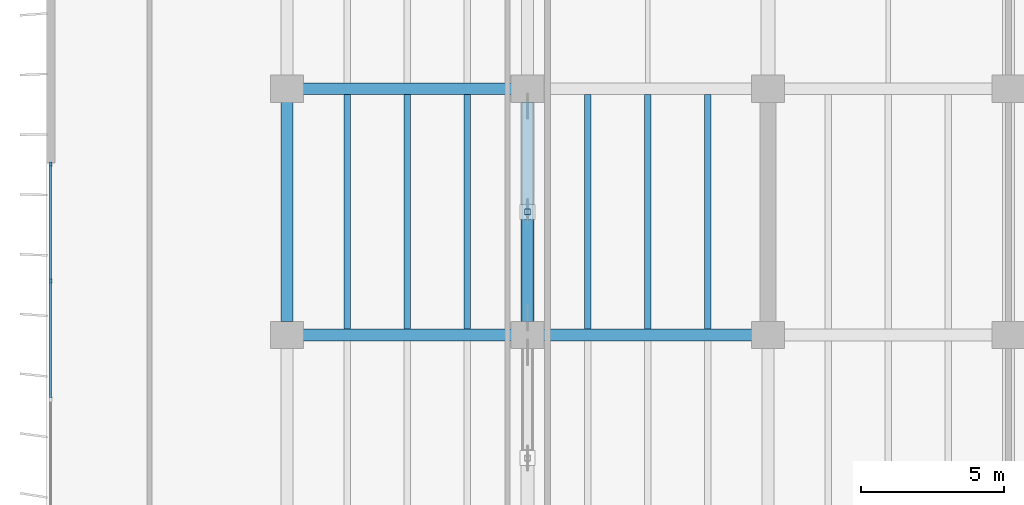
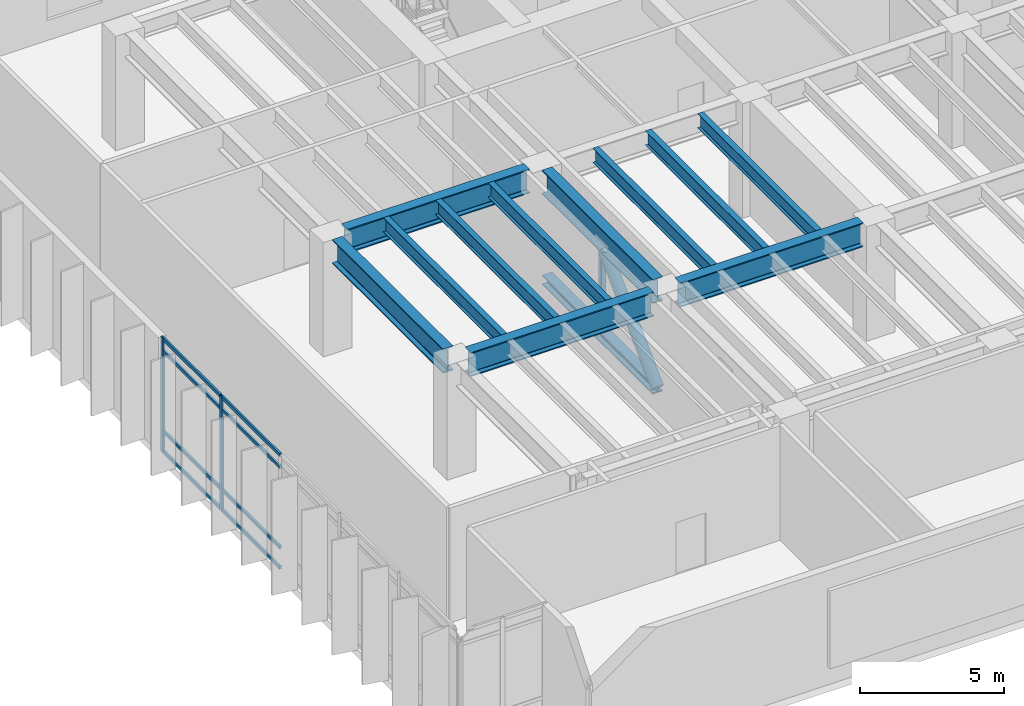
# One storey, part 4 of 21: 12 beams, 12 members, 1 element without a shape of its own.
"""IFC4 building model written with IfcOpenShell, lengths in metres."""

from ifc_helpers import new_model, si_unit, direction, frame, origin, origin_2d, place, context, subcontext, project, spatial, rectangle, hollow_rectangle, hollow_circle, i_section, extrude, material, layer, layer_set, material_profile, profile_set, type_object, element, aggregate, save


model = new_model("IFC4")

# Units and contexts
model_context = context("Model", 3, precision=1e-05, world=origin(), true_north=direction((0.0, 1.0)))
body_context = subcontext(model_context, "Body", "Model", "MODEL_VIEW")
ifc_project = project(units=[si_unit("LENGTHUNIT", "METRE"), si_unit("AREAUNIT", "SQUARE_METRE"), si_unit("VOLUMEUNIT", "CUBIC_METRE"), si_unit("PLANEANGLEUNIT", "RADIAN"), si_unit("MASSUNIT", "GRAM", prefix="KILO")], contexts=[model_context])

# Site, building, storey
site_placement = place(None, origin())
site = spatial("IfcSite", under=ifc_project, at=site_placement, CompositionType="ELEMENT")
building_placement = place(site_placement, origin())
building = spatial("IfcBuilding", under=site, at=building_placement, Name="Caelmar Bay Residences", CompositionType="ELEMENT")
storey_placement = place(building_placement, frame((0.0, 0.0, 79.5)))
storey = spatial("IfcBuildingStorey", under=building, at=storey_placement, Name="L21", CompositionType="ELEMENT", Elevation=79.5)

# Beams
ifc_material_1 = material(Name="Steel ASTM A992 Grade 50", Category="steel")
ifc_material_profile_1 = material_profile(ifc_material_1, i_section(OverallWidth=0.40087890625, OverallDepth=0.39892578125, WebThickness=0.02490234375, FlangeThickness=0.03955078125, FilletRadius=0.01513671875, at=origin_2d()), Name="W14X211")
ifc_profile_set_1 = profile_set([ifc_material_profile_1], Name="Steel ASTM A992 Grade 50")
beam_type_1 = type_object("IfcBeamType", Name="BM-CHD-W14X211", PredefinedType="BEAM", material=ifc_profile_set_1)
beam_1_placement = place(storey_placement, frame((18.300048828125, 21.264892578125, 0.199462890625), z_axis=(0.0, 1.0, 0.0), x_axis=(-1.0, 0.0, 0.0)))
element("IfcBeam", 1, at=beam_1_placement, inside=storey, type_object=beam_type_1, Name="L21 Outrigger Bottom Chord 2", PredefinedType="BEAM", context=body_context, shape_type="SweptSolid", body=[
    extrude(i_section(OverallWidth=0.40087890625, OverallDepth=0.39892578125, WebThickness=0.02490234375, FlangeThickness=0.03955078125, FilletRadius=0.01513671875, at=origin_2d()), origin(), (0.0, 0.0, 1.0), 7.670166015625),
])
ifc_material_profile_2 = material_profile(ifc_material_1, i_section(OverallWidth=0.404052734375, OverallDepth=1.02099609375, WebThickness=0.025390625, FlangeThickness=0.0458984375, FilletRadius=0.02294921875, at=origin_2d()), Name="W40X324")
ifc_profile_set_2 = profile_set([ifc_material_profile_2], Name="Steel ASTM A992 Grade 50")
beam_type_2 = type_object("IfcBeamType", Name="BM-GRD-W40X324", PredefinedType="BEAM", material=ifc_profile_set_2)
beam_2_placement = place(storey_placement, frame((10.43994140625, 20.800048828125, 4.339599609375), z_axis=(1.0, 0.0, 0.0), x_axis=(0.0, 1.0, 0.0)))
element("IfcBeam", 2, at=beam_2_placement, inside=storey, type_object=beam_type_2, Name="L21 East-West Girder Y=20.80 (9.9-18.3)", PredefinedType="BEAM", context=body_context, shape_type="SweptSolid", body=[
    extrude(i_section(OverallWidth=0.404052734375, OverallDepth=1.02099609375, WebThickness=0.025390625, FlangeThickness=0.0458984375, FilletRadius=0.02294921875, at=origin_2d()), origin(), (0.0, 0.0, 1.0), 7.320068359375),
])
beam_3_placement = place(storey_placement, frame((18.840087890625, 20.800048828125, 4.339599609375), z_axis=(1.0, 0.0, 0.0), x_axis=(0.0, 1.0, 0.0)))
element("IfcBeam", 3, at=beam_3_placement, inside=storey, type_object=beam_type_2, Name="L21 East-West Girder Y=20.80 (18.3-26.7)", PredefinedType="BEAM", context=body_context, shape_type="SweptSolid", body=[
    extrude(i_section(OverallWidth=0.404052734375, OverallDepth=1.02099609375, WebThickness=0.025390625, FlangeThickness=0.0458984375, FilletRadius=0.02294921875, at=origin_2d()), origin(), (0.0, 0.0, 1.0), 7.31982421875),
])
beam_4_placement = place(storey_placement, frame((10.43994140625, 29.39990234375, 4.339599609375), z_axis=(1.0, 0.0, 0.0), x_axis=(0.0, 1.0, 0.0)))
element("IfcBeam", 4, at=beam_4_placement, inside=storey, type_object=beam_type_2, Name="L21 East-West Girder Y=29.40 (9.9-18.3)", PredefinedType="BEAM", context=body_context, shape_type="SweptSolid", body=[
    extrude(i_section(OverallWidth=0.404052734375, OverallDepth=1.02099609375, WebThickness=0.025390625, FlangeThickness=0.0458984375, FilletRadius=0.02294921875, at=origin_2d()), origin(), (0.0, 0.0, 1.0), 7.320068359375),
])
for number, where, z_axis, x_axis, name in (
    (5, (9.89990234375, 21.264892578125, 4.339599609375), (0.0, 1.0, 0.0), (-1.0, 0.0, 0.0), "L21 North-South Girder X=9.90 (20.8-29.4)"),
    (6, (18.300048828125, 21.264892578125, 4.339599609375), (0.0, 1.0, 0.0), (-1.0, 0.0, 0.0), "L21 North-South Girder X=18.30 (20.8-29.4)"),
):
    element("IfcBeam", number, at=place(storey_placement, frame(where, z_axis=z_axis, x_axis=x_axis)), inside=storey, type_object=beam_type_2, Name=name, PredefinedType="BEAM", context=body_context, shape_type="SweptSolid", body=[
        extrude(i_section(OverallWidth=0.404052734375, OverallDepth=1.02099609375, WebThickness=0.025390625, FlangeThickness=0.0458984375, FilletRadius=0.02294921875, at=origin_2d()), origin(), (0.0, 0.0, 1.0), 7.670166015625),
    ])
ifc_material_profile_3 = material_profile(ifc_material_1, i_section(OverallWidth=0.22900390625, OverallDepth=0.612060546875, WebThickness=0.011962890625, FlangeThickness=0.01953125, FilletRadius=0.0126953125, at=origin_2d()), Name="W24X84")
ifc_profile_set_3 = profile_set([ifc_material_profile_3], Name="Steel ASTM A992 Grade 50")
beam_type_3 = type_object("IfcBeamType", Name="BM-JST-W24X84", PredefinedType="JOIST", material=ifc_profile_set_3)
for number, where, z_axis, x_axis, name in (
    (7, (12.0, 21.001953125, 4.5439453125), (0.0, 1.0, 0.0), (-1.0, 0.0, 0.0), "L21 Composite Floor Joist 22"),
    (8, (14.10009765625, 21.001953125, 4.5439453125), (0.0, 1.0, 0.0), (-1.0, 0.0, 0.0), "L21 Composite Floor Joist 23"),
    (9, (16.199951171875, 21.001953125, 4.5439453125), (0.0, 1.0, 0.0), (-1.0, 0.0, 0.0), "L21 Composite Floor Joist 24"),
    (10, (20.39990234375, 21.001953125, 4.5439453125), (0.0, 1.0, 0.0), (-1.0, 0.0, 0.0), "L21 Composite Floor Joist 25"),
    (11, (22.5, 21.001953125, 4.5439453125), (0.0, 1.0, 0.0), (-1.0, 0.0, 0.0), "L21 Composite Floor Joist 26"),
    (12, (24.60009765625, 21.001953125, 4.5439453125), (0.0, 1.0, 0.0), (-1.0, 0.0, 0.0), "L21 Composite Floor Joist 27"),
):
    element("IfcBeam", number, at=place(storey_placement, frame(where, z_axis=z_axis, x_axis=x_axis)), inside=storey, type_object=beam_type_3, Name=name, PredefinedType="JOIST", context=body_context, shape_type="SweptSolid", body=[
        extrude(i_section(OverallWidth=0.22900390625, OverallDepth=0.612060546875, WebThickness=0.011962890625, FlangeThickness=0.01953125, FilletRadius=0.0126953125, at=origin_2d()), origin(), (0.0, 0.0, 1.0), 8.196044921875),
    ])

# Curtain wall, members
ifc_material_2 = material(Name="Anodised bronze aluminium 6063-T6 and laminated glass", Category="aluminium")
ifc_layer = layer(ifc_material_2, 0.179931640625)
ifc_layer_set = layer_set([ifc_layer], Name="Anodised bronze aluminium 6063-T6 and laminated glass")
curtain_wall_type = type_object("IfcCurtainWallType", Name="CW2-Z1", PredefinedType="NOTDEFINED", material=ifc_layer_set)
curtain_wall_placement = place(storey_placement, origin())
curtain_wall = element("IfcCurtainWall", 13, at=curtain_wall_placement, inside=storey, type_object=curtain_wall_type, Name="CW2 curtain wall L21", PredefinedType="NOTDEFINED")
ifc_material_3 = material(Name="Anodised bronze aluminium 6063-T6", Category="aluminium")
ifc_material_profile_4 = material_profile(ifc_material_3, rectangle(XDim=0.080078125, YDim=0.179931640625, at=origin_2d()), Name="CWM-80X180")
ifc_profile_set_4 = profile_set([ifc_material_profile_4], Name="Anodised bronze aluminium 6063-T6")
member_type_1 = type_object("IfcMemberType", Name="CWM-180", PredefinedType="MULLION", material=ifc_profile_set_4)
member_1_placement = place(storey_placement, frame((1.64990234375, 22.679931640625, 0.0), z_axis=(0.0, 0.0, 1.0), x_axis=(-1.0, 0.0, 0.0)))
member_1 = element("IfcMember", 14, at=member_1_placement, type_object=member_type_1, Name="CW2 mullion 5", PredefinedType="MULLION", context=body_context, shape_type="SweptSolid", body=[
    extrude(rectangle(XDim=0.080078125, YDim=0.179931640625, at=origin_2d()), origin(), (0.0, 0.0, 1.0), 4.85009765625),
])
member_2_placement = place(storey_placement, frame((1.64990234375, 26.760009765625, 0.0), z_axis=(0.0, 0.0, 1.0), x_axis=(-1.0, 0.0, 0.0)))
member_2 = element("IfcMember", 15, at=member_2_placement, type_object=member_type_1, Name="CW2 mullion 6", PredefinedType="MULLION", context=body_context, shape_type="SweptSolid", body=[
    extrude(rectangle(XDim=0.080078125, YDim=0.179931640625, at=origin_2d()), origin(), (0.0, 0.0, 1.0), 4.85009765625),
])
ifc_material_profile_5 = material_profile(ifc_material_3, rectangle(XDim=0.080078125, YDim=0.139892578125, at=origin_2d()), Name="CWT-80X140")
ifc_profile_set_5 = profile_set([ifc_material_profile_5], Name="Anodised bronze aluminium 6063-T6")
member_type_2 = type_object("IfcMemberType", Name="CWT-140", PredefinedType="NOTDEFINED", material=ifc_profile_set_5)
member_3_placement = place(storey_placement, frame((1.64990234375, 18.60009765625, 0.0400390625), z_axis=(0.0, 1.0, 0.0), x_axis=(-1.0, 0.0, 0.0)))
member_3 = element("IfcMember", 16, at=member_3_placement, type_object=member_type_2, Name="CW2 transom 4.1", ObjectType="TRANSOM", PredefinedType="USERDEFINED", context=body_context, shape_type="SweptSolid", body=[
    extrude(rectangle(XDim=0.080078125, YDim=0.139892578125, at=origin_2d()), origin(), (0.0, 0.0, 1.0), 4.039794921875),
])
member_4_placement = place(storey_placement, frame((1.64990234375, 18.60009765625, 0.89990234375), z_axis=(0.0, 1.0, 0.0), x_axis=(-1.0, 0.0, 0.0)))
member_4 = element("IfcMember", 17, at=member_4_placement, type_object=member_type_2, Name="CW2 transom 4.2", ObjectType="TRANSOM", PredefinedType="USERDEFINED", context=body_context, shape_type="SweptSolid", body=[
    extrude(rectangle(XDim=0.080078125, YDim=0.139892578125, at=origin_2d()), origin(), (0.0, 0.0, 1.0), 4.039794921875),
])
member_5_placement = place(storey_placement, frame((1.64990234375, 18.60009765625, 4.300048828125), z_axis=(0.0, 1.0, 0.0), x_axis=(-1.0, 0.0, 0.0)))
member_5 = element("IfcMember", 18, at=member_5_placement, type_object=member_type_2, Name="CW2 transom 4.3", ObjectType="TRANSOM", PredefinedType="USERDEFINED", context=body_context, shape_type="SweptSolid", body=[
    extrude(rectangle(XDim=0.080078125, YDim=0.139892578125, at=origin_2d()), origin(), (0.0, 0.0, 1.0), 4.039794921875),
])
member_6_placement = place(storey_placement, frame((1.64990234375, 18.60009765625, 4.81005859375), z_axis=(0.0, 1.0, 0.0), x_axis=(-1.0, 0.0, 0.0)))
member_6 = element("IfcMember", 19, at=member_6_placement, type_object=member_type_2, Name="CW2 transom 4.4", ObjectType="TRANSOM", PredefinedType="USERDEFINED", context=body_context, shape_type="SweptSolid", body=[
    extrude(rectangle(XDim=0.080078125, YDim=0.139892578125, at=origin_2d()), origin(), (0.0, 0.0, 1.0), 4.039794921875),
])
member_7_placement = place(storey_placement, frame((1.64990234375, 22.719970703125, 0.0400390625), z_axis=(0.0, 1.0, 0.0), x_axis=(-1.0, 0.0, 0.0)))
member_7 = element("IfcMember", 20, at=member_7_placement, type_object=member_type_2, Name="CW2 transom 5.1", ObjectType="TRANSOM", PredefinedType="USERDEFINED", context=body_context, shape_type="SweptSolid", body=[
    extrude(rectangle(XDim=0.080078125, YDim=0.139892578125, at=origin_2d()), origin(), (0.0, 0.0, 1.0), 4.0),
])
member_8_placement = place(storey_placement, frame((1.64990234375, 22.719970703125, 0.89990234375), z_axis=(0.0, 1.0, 0.0), x_axis=(-1.0, 0.0, 0.0)))
member_8 = element("IfcMember", 21, at=member_8_placement, type_object=member_type_2, Name="CW2 transom 5.2", ObjectType="TRANSOM", PredefinedType="USERDEFINED", context=body_context, shape_type="SweptSolid", body=[
    extrude(rectangle(XDim=0.080078125, YDim=0.139892578125, at=origin_2d()), origin(), (0.0, 0.0, 1.0), 4.0),
])
member_9_placement = place(storey_placement, frame((1.64990234375, 22.719970703125, 4.300048828125), z_axis=(0.0, 1.0, 0.0), x_axis=(-1.0, 0.0, 0.0)))
member_9 = element("IfcMember", 22, at=member_9_placement, type_object=member_type_2, Name="CW2 transom 5.3", ObjectType="TRANSOM", PredefinedType="USERDEFINED", context=body_context, shape_type="SweptSolid", body=[
    extrude(rectangle(XDim=0.080078125, YDim=0.139892578125, at=origin_2d()), origin(), (0.0, 0.0, 1.0), 4.0),
])
member_10_placement = place(storey_placement, frame((1.64990234375, 22.719970703125, 4.81005859375), z_axis=(0.0, 1.0, 0.0), x_axis=(-1.0, 0.0, 0.0)))
member_10 = element("IfcMember", 23, at=member_10_placement, type_object=member_type_2, Name="CW2 transom 5.4", ObjectType="TRANSOM", PredefinedType="USERDEFINED", context=body_context, shape_type="SweptSolid", body=[
    extrude(rectangle(XDim=0.080078125, YDim=0.139892578125, at=origin_2d()), origin(), (0.0, 0.0, 1.0), 4.0),
])
aggregate(curtain_wall, [member_1, member_2, member_3, member_4, member_5, member_6, member_7, member_8, member_9, member_10])

# Members
ifc_material_4 = material(Name="Steel ASTM A53 Grade B", Category="steel")
ifc_material_profile_6 = material_profile(ifc_material_4, hollow_circle(Radius=0.228515625, WallThickness=0.023681640625, at=origin_2d()), Name="CHS457X25.4")
ifc_profile_set_6 = profile_set([ifc_material_profile_6], Name="Steel ASTM A53 Grade B")
member_type_3 = type_object("IfcMemberType", Name="MEM-OUT-CHS457", PredefinedType="BRACE", material=ifc_profile_set_6)
member_11_placement = place(storey_placement, frame((18.300048828125, 21.264892578125, 0.219970703125), z_axis=(0.0, 0.715825532831, 0.698279175221), x_axis=(-1.0, 0.0, 0.0)))
element("IfcMember", 24, at=member_11_placement, inside=storey, type_object=member_type_3, Name="L21 Outrigger Diagonal 2A", PredefinedType="BRACE", context=body_context, shape_type="SweptSolid", body=[
    extrude(hollow_circle(Radius=0.228515625, WallThickness=0.023681640625, at=origin_2d()), origin(), (0.0, 0.0, 1.0), 5.18994140625),
])
ifc_material_5 = material(Name="Steel ASTM A500 Grade C", Category="steel")
ifc_material_profile_7 = material_profile(ifc_material_5, hollow_rectangle(XDim=0.202880859375, YDim=0.202880859375, WallThickness=0.01171875, InnerFilletRadius=0.01171875, OuterFilletRadius=0.023681640625, at=origin_2d()), Name="HSS200X200X12.7")
ifc_profile_set_7 = profile_set([ifc_material_profile_7], Name="Steel ASTM A500 Grade C")
member_type_4 = type_object("IfcMemberType", Name="MEM-PST-HSS200", PredefinedType="POST", material=ifc_profile_set_7)
member_12_placement = place(storey_placement, frame((18.300048828125, 25.10009765625, 0.39892578125), z_axis=(0.0, 0.0, 1.0), x_axis=(1.0, 0.0, 0.0)))
element("IfcMember", 25, at=member_12_placement, inside=storey, type_object=member_type_4, Name="L21 Outrigger Web Post 2", PredefinedType="POST", context=body_context, shape_type="SweptSolid", body=[
    extrude(hollow_rectangle(XDim=0.202880859375, YDim=0.202880859375, WallThickness=0.01171875, InnerFilletRadius=0.01171875, OuterFilletRadius=0.023681640625, at=origin_2d()), origin(), (0.0, 0.0, 1.0), 3.445068359375),
])

save(model, "model.ifc")
